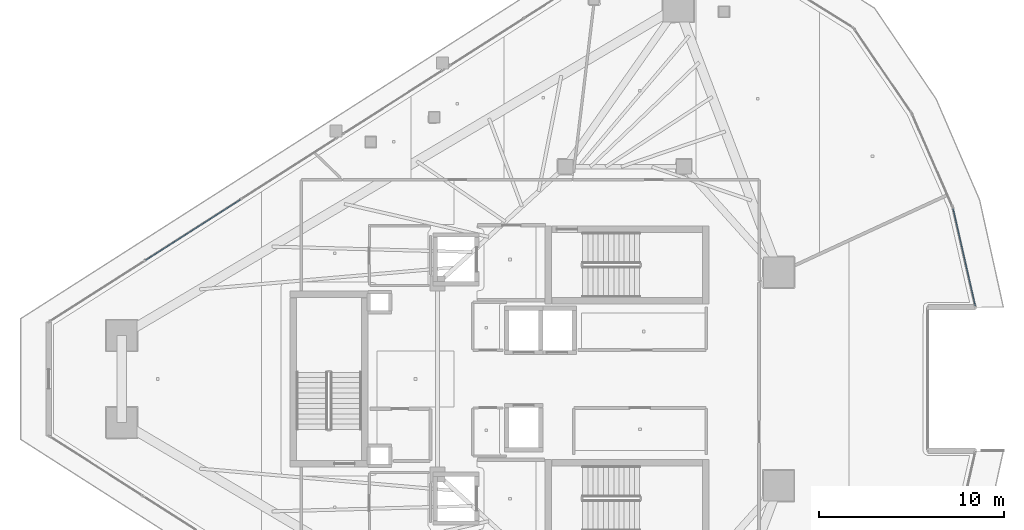
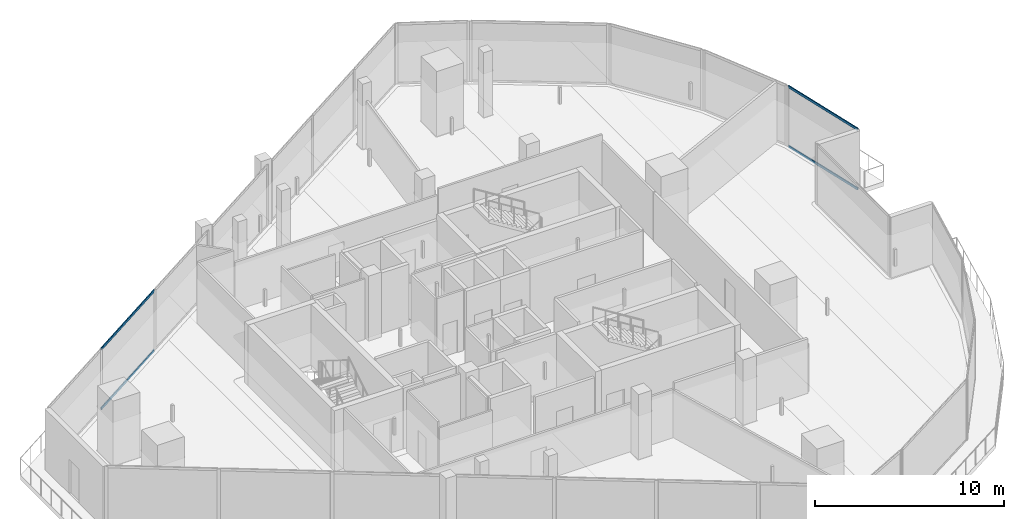
# One storey, part 14 of 31: 4 members, 2 elements without a shape of their own.
"""IFC4 building model written with IfcOpenShell, lengths in metres."""

from ifc_helpers import new_model, si_unit, direction, frame, origin, origin_2d, place, context, subcontext, project, spatial, hollow_rectangle, extrude, material, layer, layer_set, material_profile, profile_set, type_object, element, aggregate, save


model = new_model("IFC4")

# Units and contexts
model_context = context("Model", 3, precision=1e-05, world=origin(), true_north=direction((0.0, 1.0)))
body_context = subcontext(model_context, "Body", "Model", "MODEL_VIEW")
ifc_project = project(units=[si_unit("LENGTHUNIT", "METRE"), si_unit("AREAUNIT", "SQUARE_METRE"), si_unit("VOLUMEUNIT", "CUBIC_METRE"), si_unit("PLANEANGLEUNIT", "RADIAN"), si_unit("MASSUNIT", "GRAM", prefix="KILO")], contexts=[model_context])

# Site, building, storey
site_placement = place(None, origin())
site = spatial("IfcSite", under=ifc_project, at=site_placement, CompositionType="ELEMENT")
building_placement = place(site_placement, origin())
building = spatial("IfcBuilding", under=site, at=building_placement, Name="Qorvath Tower", CompositionType="ELEMENT")
storey_placement = place(building_placement, frame((0.0, 0.0, 264.0)))
storey = spatial("IfcBuildingStorey", under=building, at=storey_placement, Name="L61", CompositionType="ELEMENT", Elevation=264.0)

# Curtain wall, members
ifc_material_1 = material(Name="Anodised aluminium and triple low-E glass", Category="aluminium")
ifc_layer = layer(ifc_material_1, 0.179931640625)
ifc_layer_set = layer_set([ifc_layer], Name="CW-SYS-4")
curtain_wall_type = type_object("IfcCurtainWallType", Name="CW-SYS-4", PredefinedType="NOTDEFINED", material=ifc_layer_set)
curtain_wall_1_placement = place(storey_placement, origin())
curtain_wall_1 = element("IfcCurtainWall", 1, at=curtain_wall_1_placement, inside=storey, type_object=curtain_wall_type, Name="Curtain Wall CW-4 CW-T-L61-11.1", PredefinedType="NOTDEFINED")
ifc_material_2 = material(Name="Anodised aluminium 6063-T6", Category="aluminium")
ifc_material_profile = material_profile(ifc_material_2, hollow_rectangle(XDim=0.06494140625, YDim=0.159912109375, WallThickness=0.00341796875, InnerFilletRadius=0.00341796875, OuterFilletRadius=0.007080078125, at=origin_2d()), Name="CWT 160x65")
ifc_profile_set = profile_set([ifc_material_profile], Name="Anodised aluminium 6063-T6")
member_type = type_object("IfcMemberType", Name="CWT-160", PredefinedType="USERDEFINED", material=ifc_profile_set)
member_1_placement = place(storey_placement, frame((-1.4833984375, 3.94482421875, 0.032470703125), z_axis=(-0.222478993506, 0.974937483867, 0.0), x_axis=(-0.974937483867, -0.222478993506, 0.0)))
member_1 = element("IfcMember", 2, at=member_1_placement, type_object=member_type, Name="CW-4 transom 1.1", ObjectType="TRANSOM", PredefinedType="USERDEFINED", context=body_context, shape_type="SweptSolid", body=[
    extrude(hollow_rectangle(XDim=0.06494140625, YDim=0.159912109375, WallThickness=0.00341796875, InnerFilletRadius=0.00341796875, OuterFilletRadius=0.007080078125, at=origin_2d()), origin(), (0.0, 0.0, 1.0), 5.386962890625),
])
member_2_placement = place(storey_placement, frame((-1.4833984375, 3.94482421875, 3.87744140625), z_axis=(-0.222478993506, 0.974937483867, 0.0), x_axis=(-0.974937483867, -0.222478993506, 0.0)))
member_2 = element("IfcMember", 3, at=member_2_placement, type_object=member_type, Name="CW-4 transom 1.2", ObjectType="TRANSOM", PredefinedType="USERDEFINED", context=body_context, shape_type="SweptSolid", body=[
    extrude(hollow_rectangle(XDim=0.06494140625, YDim=0.159912109375, WallThickness=0.00341796875, InnerFilletRadius=0.00341796875, OuterFilletRadius=0.007080078125, at=origin_2d()), origin(), (0.0, 0.0, 1.0), 5.386962890625),
])
aggregate(curtain_wall_1, [member_1, member_2])

curtain_wall_2_placement = place(storey_placement, origin())
curtain_wall_2 = element("IfcCurtainWall", 4, at=curtain_wall_2_placement, inside=storey, type_object=curtain_wall_type, Name="Curtain Wall CW-4 CW-T-L61-16.3", PredefinedType="NOTDEFINED")
member_3_placement = place(storey_placement, frame((-41.137939453125, 9.678466796875, 0.032470703125), z_axis=(-0.842609139874, -0.538525614434, 0.0), x_axis=(0.538525614434, -0.842609139874, 0.0)))
member_3 = element("IfcMember", 5, at=member_3_placement, type_object=member_type, Name="CW-4 transom 2.1", ObjectType="TRANSOM", PredefinedType="USERDEFINED", context=body_context, shape_type="SweptSolid", body=[
    extrude(hollow_rectangle(XDim=0.06494140625, YDim=0.159912109375, WallThickness=0.00341796875, InnerFilletRadius=0.00341796875, OuterFilletRadius=0.007080078125, at=origin_2d()), origin(), (0.0, 0.0, 1.0), 6.075439453125),
])
member_4_placement = place(storey_placement, frame((-41.137939453125, 9.678466796875, 3.87744140625), z_axis=(-0.842609139874, -0.538525614434, 0.0), x_axis=(0.538525614434, -0.842609139874, 0.0)))
member_4 = element("IfcMember", 6, at=member_4_placement, type_object=member_type, Name="CW-4 transom 2.2", ObjectType="TRANSOM", PredefinedType="USERDEFINED", context=body_context, shape_type="SweptSolid", body=[
    extrude(hollow_rectangle(XDim=0.06494140625, YDim=0.159912109375, WallThickness=0.00341796875, InnerFilletRadius=0.00341796875, OuterFilletRadius=0.007080078125, at=origin_2d()), origin(), (0.0, 0.0, 1.0), 6.075439453125),
])
aggregate(curtain_wall_2, [member_3, member_4])

save(model, "model.ifc")
